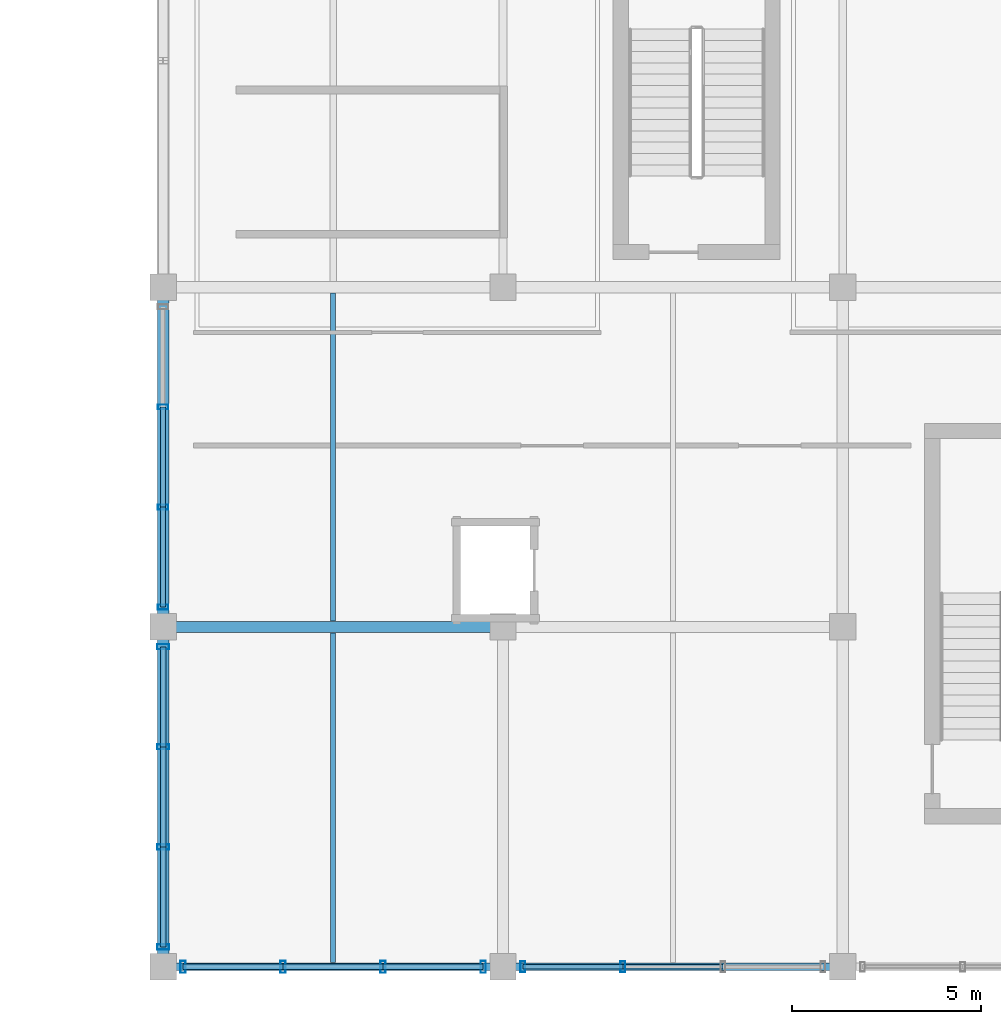
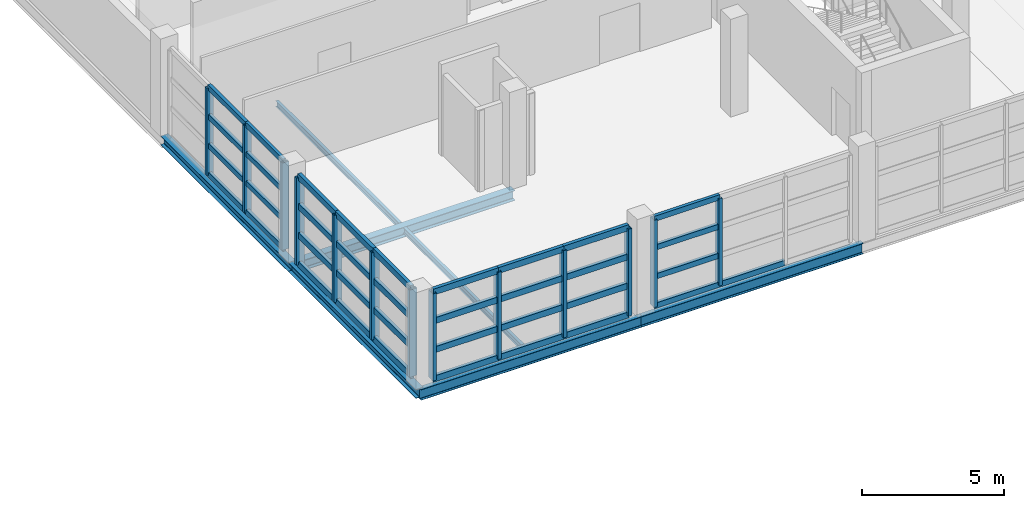
# One storey, part 57 of 136: 50 members, 7 beams, 4 elements without a shape of their own.
"""IFC4 building model written with IfcOpenShell, lengths in metres."""

import ifcopenshell
import ifcopenshell.guid

model = None  # the IFC model being written
_history = None  # IfcOwnerHistory: only IFC2X3 demands one
_inside = {}  # id of a spatial element -> (the spatial element, [elements in it])
_under = {}  # id of a project, library or spatial element -> (it, [spatial elements below it])
_declared = {}  # id of a project -> (the project, [libraries it declares])
_typed = {}  # id of a type object -> (the type object, [elements of that type])
_made_of = {}  # id of a material, layer set ... -> (it, [elements and type objects made of it])


def new_model(schema):
    """Start an empty IFC model of exactly this schema.

    Asked for "IFC4X3", IfcOpenShell would pick the latest addendum, in which some entities
    have other attributes; the version numbers below select the first issue.
    IFC2X3 requires an IfcOwnerHistory on every rooted entity: one is made here for all.
    """
    global model, _history
    if schema == "IFC4X3":
        model = ifcopenshell.file(schema_version=(4, 3, 0, 0))
    else:
        model = ifcopenshell.file(schema=schema)
    _inside.clear()
    _under.clear()
    _declared.clear()
    _typed.clear()
    _made_of.clear()
    _history = None
    if model.schema == "IFC2X3":
        org = make("IfcOrganization", Name="unknown")
        user = make(
            "IfcPersonAndOrganization",
            ThePerson=make("IfcPerson", FamilyName="unknown"),
            TheOrganization=org,
        )
        app = make(
            "IfcApplication",
            ApplicationDeveloper=org,
            Version="unknown",
            ApplicationFullName="unknown",
            ApplicationIdentifier="unknown",
        )
        _history = make(
            "IfcOwnerHistory",
            OwningUser=user,
            OwningApplication=app,
            ChangeAction="ADDED",
            CreationDate=0,
        )
    return model


def make(cls, **values):
    """One entity of the class cls with the attributes given. An attribute that is None is left unset."""
    return model.create_entity(
        cls, **{name: value for name, value in values.items() if value is not None}
    )


def rooted(cls, **values):
    """An entity with a GlobalId (a new one), such as an element, a storey or a relation."""
    return make(cls, GlobalId=ifcopenshell.guid.new(), OwnerHistory=_history, **values)


def si_unit(unit_type, name, prefix=None):
    """IfcSIUnit, for example si_unit("LENGTHUNIT", "METRE", prefix="MILLI")."""
    return make("IfcSIUnit", UnitType=unit_type, Prefix=prefix, Name=name)


def assignment(units):
    """IfcUnitAssignment: the units of a project."""
    return None if units is None else make("IfcUnitAssignment", Units=units)


def point(xyz):
    """IfcCartesianPoint."""
    return None if xyz is None else make("IfcCartesianPoint", Coordinates=xyz)


def direction(xyz):
    """IfcDirection."""
    return None if xyz is None else make("IfcDirection", DirectionRatios=xyz)


def frame(location, z_axis=None, x_axis=None):
    """IfcAxis2Placement3D, a coordinate frame: its origin and axes. An axis left out is left unset."""
    return make(
        "IfcAxis2Placement3D",
        Location=point(location),
        Axis=direction(z_axis),
        RefDirection=direction(x_axis),
    )


def frame_2d(location, x_axis=None):
    """IfcAxis2Placement2D, a coordinate frame in the plane: its origin and x axis."""
    return make(
        "IfcAxis2Placement2D", Location=point(location), RefDirection=direction(x_axis)
    )


def origin():
    """The frame at (0, 0, 0) with its axes left unset."""
    return frame((0.0, 0.0, 0.0))


def origin_2d():
    """The frame at (0, 0) in the plane with its x axis left unset."""
    return frame_2d((0.0, 0.0))


def place(relative_to, where):
    """IfcLocalPlacement: puts the frame where relative to a parent placement (None: the world)."""
    return make(
        "IfcLocalPlacement", PlacementRelTo=relative_to, RelativePlacement=where
    )


def context(
    kind, dimensions, precision=None, world=None, true_north=None, identifier=None
):
    """IfcGeometricRepresentationContext, for example the 3D "Model" context."""
    return make(
        "IfcGeometricRepresentationContext",
        ContextIdentifier=identifier,
        ContextType=kind,
        CoordinateSpaceDimension=dimensions,
        Precision=precision,
        WorldCoordinateSystem=world,
        TrueNorth=true_north,
    )


def subcontext(parent, identifier, kind, view, scale=None):
    """IfcGeometricRepresentationSubContext, for example "Body" below "Model"."""
    return make(
        "IfcGeometricRepresentationSubContext",
        ContextIdentifier=identifier,
        ContextType=kind,
        ParentContext=parent,
        TargetScale=scale,
        TargetView=view,
    )


def project(units=None, contexts=None):
    """IfcProject with its units and contexts."""
    return rooted(
        "IfcProject",
        Name="project",
        RepresentationContexts=contexts,
        UnitsInContext=assignment(units),
    )


def spatial(cls, under=None, at=None, **own):
    """A site, building, storey or space (cls), placed at a placement, below another one or the project."""
    s = rooted(cls, ObjectPlacement=at, **own)
    if under is not None:
        _under.setdefault(under.id(), (under, []))[1].append(s)
    return s


def profile(cls, at=None, kind="AREA", **sizes):
    """A parametric profile (cls). Its sizes go by their IFC names, for example OverallWidth=200.0."""
    return make(cls, ProfileType=kind, Position=at, **sizes)


def hollow_rectangle(**sizes):
    """IfcRectangleHollowProfileDef."""
    return profile("IfcRectangleHollowProfileDef", **sizes)


def i_section(**sizes):
    """IfcIShapeProfileDef."""
    return profile("IfcIShapeProfileDef", **sizes)


def extrude(swept, where, along, depth):
    """IfcExtrudedAreaSolid: the profile swept, set in the frame where, extruded along a direction by depth."""
    return make(
        "IfcExtrudedAreaSolid",
        SweptArea=swept,
        Position=where,
        ExtrudedDirection=direction(along),
        Depth=depth,
    )


def shape(context_of_items, identifier, shape_type, items):
    """IfcShapeRepresentation: the items that make up one representation, for example the "Body"."""
    return make(
        "IfcShapeRepresentation",
        ContextOfItems=context_of_items,
        RepresentationIdentifier=identifier,
        RepresentationType=shape_type,
        Items=items,
    )


def material(Name=None, Category=None):
    """IfcMaterial."""
    return make("IfcMaterial", Name=Name, Category=Category)


def material_profile(
    of_material, cross_section, Name=None, Category=None, Priority=None
):
    """IfcMaterialProfile: a cross section and its material."""
    return make(
        "IfcMaterialProfile",
        Name=Name,
        Material=of_material,
        Profile=cross_section,
        Priority=Priority,
        Category=Category,
    )


def profile_set(profiles, Name=None, composite=None):
    """IfcMaterialProfileSet."""
    return make(
        "IfcMaterialProfileSet",
        Name=Name,
        MaterialProfiles=profiles,
        CompositeProfile=composite,
    )


def made_of(thing, what):
    """Note that an element or type object is made of a material, layer set ...; save() writes the relation."""
    if what is not None:
        _made_of.setdefault(what.id(), (what, []))[1].append(thing)
    return thing


def type_object(cls, material=None, **own):
    """A type object (cls), such as IfcWallType, which elements share."""
    return made_of(rooted(cls, **own), material)


def element(
    cls,
    number,
    at=None,
    inside=None,
    cuts=None,
    type_object=None,
    material=None,
    context=None,
    identifier="Body",
    shape_type=None,
    held_by="IfcProductDefinitionShape",
    body=None,
    shapes=None,
    **own,
):
    """One element of the class cls, such as IfcWall. Its Tag is "e" and its number.

    at: its placement. inside: the storey or other place that contains it. cuts: it is an
    opening in that element (IfcRelVoidsElement). A single representation is given by context,
    identifier, shape_type and body (its items); several are given by shapes. held_by: the class
    of the entity that holds the representations. save() writes the other relations.
    """
    e = rooted(cls, Tag="e%d" % number, ObjectPlacement=at, **own)
    if body is not None:
        shapes = [shape(context, identifier, shape_type, body)]
    if shapes is not None:
        e.Representation = make(held_by, Representations=shapes)
    if inside is not None:
        _inside.setdefault(inside.id(), (inside, []))[1].append(e)
    if cuts is not None:
        rooted(
            "IfcRelVoidsElement", RelatingBuildingElement=cuts, RelatedOpeningElement=e
        )
    if type_object is not None:
        _typed.setdefault(type_object.id(), (type_object, []))[1].append(e)
    return made_of(e, material)


def aggregate(whole, parts):
    """IfcRelAggregates: a whole, such as a stair, and the parts it consists of."""
    return rooted("IfcRelAggregates", RelatingObject=whole, RelatedObjects=parts)


def save(model, path):
    """Write the relations noted so far, then the file.

    IfcRelAggregates (storeys below a building ...), IfcRelContainedInSpatialStructure (elements
    in a storey), IfcRelDefinesByType, IfcRelAssociatesMaterial and IfcRelDeclares: one each for
    every whole, place, type object, material and project.
    """
    for whole, parts in _under.values():
        aggregate(whole, parts)
    for where, things in _inside.values():
        rooted(
            "IfcRelContainedInSpatialStructure",
            RelatedElements=things,
            RelatingStructure=where,
        )
    for kind, things in _typed.values():
        rooted("IfcRelDefinesByType", RelatedObjects=things, RelatingType=kind)
    for what, things in _made_of.values():
        rooted("IfcRelAssociatesMaterial", RelatedObjects=things, RelatingMaterial=what)
    for by, libraries in _declared.values():
        rooted("IfcRelDeclares", RelatingContext=by, RelatedDefinitions=libraries)
    model.write(path)


model = new_model("IFC4")

# Units and contexts
model_context = context("Model", 3, precision=1e-05, world=origin(), true_north=direction((0.0, 1.0)))
body_context = subcontext(model_context, "Body", "Model", "MODEL_VIEW")
ifc_project = project(units=[si_unit("LENGTHUNIT", "METRE"), si_unit("AREAUNIT", "SQUARE_METRE"), si_unit("VOLUMEUNIT", "CUBIC_METRE"), si_unit("PLANEANGLEUNIT", "RADIAN"), si_unit("MASSUNIT", "GRAM", prefix="KILO")], contexts=[model_context])

# Site, building, storey
site_placement = place(None, origin())
site = spatial("IfcSite", under=ifc_project, at=site_placement, CompositionType="ELEMENT")
building_placement = place(site_placement, origin())
building = spatial("IfcBuilding", under=site, at=building_placement, Name="Chuanluo Vaults Station", CompositionType="ELEMENT")
storey_placement = place(building_placement, frame((0.0, 0.0, 6.60009765625)))
storey = spatial("IfcBuildingStorey", under=building, at=storey_placement, Name="L01", CompositionType="ELEMENT", Elevation=6.60009765625)

# Beams
ifc_material_1 = material(Name="Steel Q355C", Category="steel")
ifc_material_profile_1 = material_profile(ifc_material_1, i_section(OverallWidth=0.300048828125, OverallDepth=0.389892578125, WebThickness=0.010009765625, FlangeThickness=0.01611328125, FilletRadius=0.02001953125, at=origin_2d()))
ifc_profile_set_1 = profile_set([ifc_material_profile_1], Name="Steel Q355C")
beam_type_1 = type_object("IfcBeamType", Name="BM-GRD-400", PredefinedType="BEAM", material=ifc_profile_set_1)
for number, where, z_axis, x_axis, name in (
    (1, (136.0, 0.0, -0.43505859375), (0.0, 1.0, 0.0), (-1.0, 0.0, 0.0), "Floor girder BM:GY:L01:0454"),
    (2, (136.0, 9.0, -0.43505859375), (0.0, 1.0, 0.0), (-1.0, 0.0, 0.0), "Floor girder BM:GY:L01:0455"),
):
    element("IfcBeam", number, at=place(storey_placement, frame(where, z_axis=z_axis, x_axis=x_axis)), inside=storey, type_object=beam_type_1, Name=name, PredefinedType="BEAM", context=body_context, shape_type="SweptSolid", body=[
        extrude(i_section(OverallWidth=0.300048828125, OverallDepth=0.389892578125, WebThickness=0.010009765625, FlangeThickness=0.01611328125, FilletRadius=0.02001953125, at=origin_2d()), origin(), (0.0, 0.0, 1.0), 9.0),
    ])
ifc_material_2 = material(Name="Steel Q355C", Category="steel")
ifc_material_profile_2 = material_profile(ifc_material_2, i_section(OverallWidth=0.300048828125, OverallDepth=0.43994140625, WebThickness=0.010986328125, FlangeThickness=0.01806640625, FilletRadius=0.02001953125, at=origin_2d()))
ifc_profile_set_2 = profile_set([ifc_material_profile_2], Name="Steel Q355C")
beam_type_2 = type_object("IfcBeamType", Name="BM-GRD-450", PredefinedType="USERDEFINED", material=ifc_profile_set_2)
beam_1_placement = place(storey_placement, frame((136.0, 9.0, -0.460205078125), z_axis=(1.0, 0.0, 0.0), x_axis=(0.0, 1.0, 0.0)))
element("IfcBeam", 3, at=beam_1_placement, inside=storey, type_object=beam_type_2, Name="Floor girder BM:GX:L01:0287", ObjectType="GIRDER", PredefinedType="USERDEFINED", context=body_context, shape_type="SweptSolid", body=[
    extrude(i_section(OverallWidth=0.300048828125, OverallDepth=0.43994140625, WebThickness=0.010986328125, FlangeThickness=0.01806640625, FilletRadius=0.02001953125, at=origin_2d()), origin(), (0.0, 0.0, 1.0), 9.0),
])
ifc_material_3 = material(Name="Steel Q355C", Category="steel")
ifc_material_profile_3 = material_profile(ifc_material_3, i_section(OverallWidth=0.125, OverallDepth=0.25, WebThickness=0.006103515625, FlangeThickness=0.009033203125, FilletRadius=0.011962890625, at=origin_2d()))
ifc_profile_set_3 = profile_set([ifc_material_profile_3], Name="Steel Q355C")
beam_type_3 = type_object("IfcBeamType", Name="BM-SEC-250", PredefinedType="JOIST", material=ifc_profile_set_3)
beam_2_placement = place(storey_placement, frame((140.5, 0.107421875, -0.364990234375), z_axis=(0.0, 1.0, 0.0), x_axis=(-1.0, 0.0, 0.0)))
element("IfcBeam", 4, at=beam_2_placement, inside=storey, type_object=beam_type_3, Name="Composite secondary joist 0147", PredefinedType="JOIST", context=body_context, shape_type="SweptSolid", body=[
    extrude(i_section(OverallWidth=0.125, OverallDepth=0.25, WebThickness=0.006103515625, FlangeThickness=0.009033203125, FilletRadius=0.011962890625, at=origin_2d()), origin(), (0.0, 0.0, 1.0), 8.737548828125),
])
beam_3_placement = place(storey_placement, frame((140.5, 9.155029296875, -0.364990234375), z_axis=(0.0, 1.0, 0.0), x_axis=(-1.0, 0.0, 0.0)))
element("IfcBeam", 5, at=beam_3_placement, inside=storey, type_object=beam_type_3, Name="Composite secondary joist 0148", PredefinedType="JOIST", context=body_context, shape_type="SweptSolid", body=[
    extrude(i_section(OverallWidth=0.125, OverallDepth=0.25, WebThickness=0.006103515625, FlangeThickness=0.009033203125, FilletRadius=0.011962890625, at=origin_2d()), origin(), (0.0, 0.0, 1.0), 8.68994140625),
])
ifc_material_4 = material(Name="Steel Q355C", Category="steel")
ifc_material_profile_4 = material_profile(ifc_material_4, i_section(OverallWidth=0.205078125, OverallDepth=0.4599609375, WebThickness=0.009033203125, FlangeThickness=0.013916015625, FilletRadius=0.01611328125, at=origin_2d()))
ifc_profile_set_4 = profile_set([ifc_material_profile_4], Name="Steel Q355C")
beam_type_4 = type_object("IfcBeamType", Name="BM-SPN-450", PredefinedType="SPANDREL", material=ifc_profile_set_4)
for number, where, z_axis, x_axis, name in (
    (6, (136.0, 0.0, -0.47021484375), (1.0, 0.0, 0.0), (0.0, 1.0, 0.0), "Floor girder BM:GX:L01:0280"),
    (7, (145.0, 0.0, -0.47021484375), (1.0, 0.0, 0.0), (0.0, 1.0, 0.0), "Floor girder BM:GX:L01:0281"),
):
    element("IfcBeam", number, at=place(storey_placement, frame(where, z_axis=z_axis, x_axis=x_axis)), inside=storey, type_object=beam_type_4, Name=name, PredefinedType="SPANDREL", context=body_context, shape_type="SweptSolid", body=[
        extrude(i_section(OverallWidth=0.205078125, OverallDepth=0.4599609375, WebThickness=0.009033203125, FlangeThickness=0.013916015625, FilletRadius=0.01611328125, at=origin_2d()), origin(), (0.0, 0.0, 1.0), 9.0),
    ])

# Curtain wall, members
ifc_material_5 = material(Name="Anodised aluminium 6063-T6", Category="aluminium")
curtain_wall_type_1 = type_object("IfcCurtainWallType", Name="CW-SYS-06", PredefinedType="NOTDEFINED", material=ifc_material_5)
curtain_wall_1_placement = place(storey_placement, origin())
curtain_wall_1 = element("IfcCurtainWall", 8, at=curtain_wall_1_placement, inside=storey, type_object=curtain_wall_type_1, Name="Retail pavilion L01 facade CW", PredefinedType="NOTDEFINED")
ifc_material_6 = material(Name="Anodised aluminium 6063-T6", Category="aluminium")
ifc_material_profile_5 = material_profile(ifc_material_6, hollow_rectangle(XDim=0.1298828125, YDim=0.280029296875, WallThickness=0.007080078125, at=origin_2d()))
ifc_profile_set_5 = profile_set([ifc_material_profile_5], Name="Anodised aluminium 6063-T6")
member_type_1 = type_object("IfcMemberType", Name="CWM-180", PredefinedType="MULLION", material=ifc_profile_set_5)
member_1_placement = place(storey_placement, frame((136.0, 9.52490234375, 0.0), z_axis=(0.0, 0.0, 1.0), x_axis=(0.0, 1.0, 0.0)))
member_1 = element("IfcMember", 9, at=member_1_placement, type_object=member_type_1, Name="Retail pavilion L01 facade CW mullion 1", PredefinedType="MULLION", context=body_context, shape_type="SweptSolid", body=[
    extrude(hollow_rectangle(XDim=0.1298828125, YDim=0.280029296875, WallThickness=0.007080078125, at=origin_2d()), origin(), (0.0, 0.0, 1.0), 3.75),
])
member_2_placement = place(storey_placement, frame((136.0, 12.175048828125, 0.0), z_axis=(0.0, 0.0, 1.0), x_axis=(0.0, 1.0, 0.0)))
member_2 = element("IfcMember", 10, at=member_2_placement, type_object=member_type_1, Name="Retail pavilion L01 facade CW mullion 2", PredefinedType="MULLION", context=body_context, shape_type="SweptSolid", body=[
    extrude(hollow_rectangle(XDim=0.1298828125, YDim=0.280029296875, WallThickness=0.007080078125, at=origin_2d()), origin(), (0.0, 0.0, 1.0), 3.75),
])
member_3_placement = place(storey_placement, frame((136.0, 14.824951171875, 0.0), z_axis=(0.0, 0.0, 1.0), x_axis=(0.0, 1.0, 0.0)))
member_3 = element("IfcMember", 11, at=member_3_placement, type_object=member_type_1, Name="Retail pavilion L01 facade CW mullion 3", PredefinedType="MULLION", context=body_context, shape_type="SweptSolid", body=[
    extrude(hollow_rectangle(XDim=0.1298828125, YDim=0.280029296875, WallThickness=0.007080078125, at=origin_2d()), origin(), (0.0, 0.0, 1.0), 3.75),
])

ifc_material_7 = material(Name="Anodised aluminium 6063-T6", Category="aluminium")
curtain_wall_type_2 = type_object("IfcCurtainWallType", Name="CW-SYS-10", PredefinedType="NOTDEFINED", material=ifc_material_7)
curtain_wall_2_placement = place(storey_placement, origin())
curtain_wall_2 = element("IfcCurtainWall", 12, at=curtain_wall_2_placement, inside=storey, type_object=curtain_wall_type_2, Name="Retail pavilion L01 facade CW", PredefinedType="NOTDEFINED")
member_4_placement = place(storey_placement, frame((148.175048828125, 0.0, 0.0), z_axis=(0.0, 0.0, 1.0), x_axis=(-1.0, 0.0, 0.0)))
member_4 = element("IfcMember", 13, at=member_4_placement, type_object=member_type_1, Name="Retail pavilion L01 facade CW mullion 3", PredefinedType="MULLION", context=body_context, shape_type="SweptSolid", body=[
    extrude(hollow_rectangle(XDim=0.1298828125, YDim=0.280029296875, WallThickness=0.007080078125, at=origin_2d()), origin(), (0.0, 0.0, 1.0), 3.75),
])
member_5_placement = place(storey_placement, frame((145.52490234375, 0.0, 0.0), z_axis=(0.0, 0.0, 1.0), x_axis=(-1.0, 0.0, 0.0)))
member_5 = element("IfcMember", 14, at=member_5_placement, type_object=member_type_1, Name="Retail pavilion L01 facade CW mullion 4", PredefinedType="MULLION", context=body_context, shape_type="SweptSolid", body=[
    extrude(hollow_rectangle(XDim=0.1298828125, YDim=0.280029296875, WallThickness=0.007080078125, at=origin_2d()), origin(), (0.0, 0.0, 1.0), 3.75),
])

ifc_material_8 = material(Name="Anodised aluminium 6063-T6", Category="aluminium")
curtain_wall_type_3 = type_object("IfcCurtainWallType", Name="CW-SYS-05", PredefinedType="NOTDEFINED", material=ifc_material_8)
curtain_wall_3_placement = place(storey_placement, origin())
curtain_wall_3 = element("IfcCurtainWall", 15, at=curtain_wall_3_placement, inside=storey, type_object=curtain_wall_type_3, Name="Retail pavilion L01 facade CW", PredefinedType="NOTDEFINED")
ifc_material_9 = material(Name="Anodised aluminium 6063-T6", Category="aluminium")
ifc_material_profile_6 = material_profile(ifc_material_9, hollow_rectangle(XDim=0.139892578125, YDim=0.320068359375, WallThickness=0.008056640625, at=origin_2d()))
ifc_profile_set_6 = profile_set([ifc_material_profile_6], Name="Anodised aluminium 6063-T6")
member_type_2 = type_object("IfcMemberType", Name="CWM-220", PredefinedType="MULLION", material=ifc_profile_set_6)
member_6_placement = place(storey_placement, frame((136.0, 0.52490234375, 0.0), z_axis=(0.0, 0.0, 1.0), x_axis=(0.0, 1.0, 0.0)))
member_6 = element("IfcMember", 16, at=member_6_placement, type_object=member_type_2, Name="Retail pavilion L01 facade CW mullion 1", PredefinedType="MULLION", context=body_context, shape_type="SweptSolid", body=[
    extrude(hollow_rectangle(XDim=0.139892578125, YDim=0.320068359375, WallThickness=0.008056640625, at=origin_2d()), origin(), (0.0, 0.0, 1.0), 3.75),
])
member_7_placement = place(storey_placement, frame((136.0, 3.175048828125, 0.0), z_axis=(0.0, 0.0, 1.0), x_axis=(0.0, 1.0, 0.0)))
member_7 = element("IfcMember", 17, at=member_7_placement, type_object=member_type_2, Name="Retail pavilion L01 facade CW mullion 2", PredefinedType="MULLION", context=body_context, shape_type="SweptSolid", body=[
    extrude(hollow_rectangle(XDim=0.139892578125, YDim=0.320068359375, WallThickness=0.008056640625, at=origin_2d()), origin(), (0.0, 0.0, 1.0), 3.75),
])
member_8_placement = place(storey_placement, frame((136.0, 5.824951171875, 0.0), z_axis=(0.0, 0.0, 1.0), x_axis=(0.0, 1.0, 0.0)))
member_8 = element("IfcMember", 18, at=member_8_placement, type_object=member_type_2, Name="Retail pavilion L01 facade CW mullion 3", PredefinedType="MULLION", context=body_context, shape_type="SweptSolid", body=[
    extrude(hollow_rectangle(XDim=0.139892578125, YDim=0.320068359375, WallThickness=0.008056640625, at=origin_2d()), origin(), (0.0, 0.0, 1.0), 3.75),
])
member_9_placement = place(storey_placement, frame((136.0, 8.47509765625, 0.0), z_axis=(0.0, 0.0, 1.0), x_axis=(0.0, 1.0, 0.0)))
member_9 = element("IfcMember", 19, at=member_9_placement, type_object=member_type_2, Name="Retail pavilion L01 facade CW mullion 4", PredefinedType="MULLION", context=body_context, shape_type="SweptSolid", body=[
    extrude(hollow_rectangle(XDim=0.139892578125, YDim=0.320068359375, WallThickness=0.008056640625, at=origin_2d()), origin(), (0.0, 0.0, 1.0), 3.75),
])

ifc_material_10 = material(Name="Anodised aluminium 6063-T6", Category="aluminium")
curtain_wall_type_4 = type_object("IfcCurtainWallType", Name="CW-SYS-09", PredefinedType="NOTDEFINED", material=ifc_material_10)
curtain_wall_4_placement = place(storey_placement, origin())
curtain_wall_4 = element("IfcCurtainWall", 20, at=curtain_wall_4_placement, inside=storey, type_object=curtain_wall_type_4, Name="Retail pavilion L01 facade CW", PredefinedType="NOTDEFINED")
member_10_placement = place(storey_placement, frame((144.47509765625, 0.0, 0.0), z_axis=(0.0, 0.0, 1.0), x_axis=(-1.0, 0.0, 0.0)))
member_10 = element("IfcMember", 21, at=member_10_placement, type_object=member_type_2, Name="Retail pavilion L01 facade CW mullion 1", PredefinedType="MULLION", context=body_context, shape_type="SweptSolid", body=[
    extrude(hollow_rectangle(XDim=0.139892578125, YDim=0.320068359375, WallThickness=0.008056640625, at=origin_2d()), origin(), (0.0, 0.0, 1.0), 3.75),
])
member_11_placement = place(storey_placement, frame((141.824951171875, 0.0, 0.0), z_axis=(0.0, 0.0, 1.0), x_axis=(-1.0, 0.0, 0.0)))
member_11 = element("IfcMember", 22, at=member_11_placement, type_object=member_type_2, Name="Retail pavilion L01 facade CW mullion 2", PredefinedType="MULLION", context=body_context, shape_type="SweptSolid", body=[
    extrude(hollow_rectangle(XDim=0.139892578125, YDim=0.320068359375, WallThickness=0.008056640625, at=origin_2d()), origin(), (0.0, 0.0, 1.0), 3.75),
])
member_12_placement = place(storey_placement, frame((139.175048828125, 0.0, 0.0), z_axis=(0.0, 0.0, 1.0), x_axis=(-1.0, 0.0, 0.0)))
member_12 = element("IfcMember", 23, at=member_12_placement, type_object=member_type_2, Name="Retail pavilion L01 facade CW mullion 3", PredefinedType="MULLION", context=body_context, shape_type="SweptSolid", body=[
    extrude(hollow_rectangle(XDim=0.139892578125, YDim=0.320068359375, WallThickness=0.008056640625, at=origin_2d()), origin(), (0.0, 0.0, 1.0), 3.75),
])
member_13_placement = place(storey_placement, frame((136.52490234375, 0.0, 0.0), z_axis=(0.0, 0.0, 1.0), x_axis=(-1.0, 0.0, 0.0)))
member_13 = element("IfcMember", 24, at=member_13_placement, type_object=member_type_2, Name="Retail pavilion L01 facade CW mullion 4", PredefinedType="MULLION", context=body_context, shape_type="SweptSolid", body=[
    extrude(hollow_rectangle(XDim=0.139892578125, YDim=0.320068359375, WallThickness=0.008056640625, at=origin_2d()), origin(), (0.0, 0.0, 1.0), 3.75),
])

# Member
ifc_material_11 = material(Name="Anodised aluminium 6063-T6", Category="aluminium")
ifc_material_profile_7 = material_profile(ifc_material_11, hollow_rectangle(XDim=0.1298828125, YDim=0.22998046875, WallThickness=0.006103515625, at=origin_2d()))
ifc_profile_set_7 = profile_set([ifc_material_profile_7], Name="Anodised aluminium 6063-T6")
member_type_3 = type_object("IfcMemberType", Name="CWT-150", PredefinedType="USERDEFINED", material=ifc_profile_set_7)
member_14_placement = place(storey_placement, frame((136.0, 9.52490234375, 0.0), z_axis=(0.0, 1.0, 0.0), x_axis=(-1.0, 0.0, 0.0)))
member_14 = element("IfcMember", 25, at=member_14_placement, type_object=member_type_3, Name="Retail pavilion L01 facade CW transom 1.1", ObjectType="TRANSOM", PredefinedType="USERDEFINED", context=body_context, shape_type="SweptSolid", body=[
    extrude(hollow_rectangle(XDim=0.1298828125, YDim=0.22998046875, WallThickness=0.006103515625, at=origin_2d()), origin(), (0.0, 0.0, 1.0), 2.650146484375),
])

member_15_placement = place(storey_placement, frame((136.0, 9.52490234375, 1.25), z_axis=(0.0, 1.0, 0.0), x_axis=(-1.0, 0.0, 0.0)))
member_15 = element("IfcMember", 26, at=member_15_placement, type_object=member_type_3, Name="Retail pavilion L01 facade CW transom 1.2", ObjectType="TRANSOM", PredefinedType="USERDEFINED", context=body_context, shape_type="SweptSolid", body=[
    extrude(hollow_rectangle(XDim=0.1298828125, YDim=0.22998046875, WallThickness=0.006103515625, at=origin_2d()), origin(), (0.0, 0.0, 1.0), 2.650146484375),
])

member_16_placement = place(storey_placement, frame((136.0, 9.52490234375, 2.5), z_axis=(0.0, 1.0, 0.0), x_axis=(-1.0, 0.0, 0.0)))
member_16 = element("IfcMember", 27, at=member_16_placement, type_object=member_type_3, Name="Retail pavilion L01 facade CW transom 1.3", ObjectType="TRANSOM", PredefinedType="USERDEFINED", context=body_context, shape_type="SweptSolid", body=[
    extrude(hollow_rectangle(XDim=0.1298828125, YDim=0.22998046875, WallThickness=0.006103515625, at=origin_2d()), origin(), (0.0, 0.0, 1.0), 2.650146484375),
])

member_17_placement = place(storey_placement, frame((136.0, 9.52490234375, 3.75), z_axis=(0.0, 1.0, 0.0), x_axis=(-1.0, 0.0, 0.0)))
member_17 = element("IfcMember", 28, at=member_17_placement, type_object=member_type_3, Name="Retail pavilion L01 facade CW transom 1.4", ObjectType="TRANSOM", PredefinedType="USERDEFINED", context=body_context, shape_type="SweptSolid", body=[
    extrude(hollow_rectangle(XDim=0.1298828125, YDim=0.22998046875, WallThickness=0.006103515625, at=origin_2d()), origin(), (0.0, 0.0, 1.0), 2.650146484375),
])

member_18_placement = place(storey_placement, frame((136.0, 12.175048828125, 0.0), z_axis=(0.0, 1.0, 0.0), x_axis=(-1.0, 0.0, 0.0)))
member_18 = element("IfcMember", 29, at=member_18_placement, type_object=member_type_3, Name="Retail pavilion L01 facade CW transom 2.1", ObjectType="TRANSOM", PredefinedType="USERDEFINED", context=body_context, shape_type="SweptSolid", body=[
    extrude(hollow_rectangle(XDim=0.1298828125, YDim=0.22998046875, WallThickness=0.006103515625, at=origin_2d()), origin(), (0.0, 0.0, 1.0), 2.64990234375),
])

member_19_placement = place(storey_placement, frame((136.0, 12.175048828125, 1.25), z_axis=(0.0, 1.0, 0.0), x_axis=(-1.0, 0.0, 0.0)))
member_19 = element("IfcMember", 30, at=member_19_placement, type_object=member_type_3, Name="Retail pavilion L01 facade CW transom 2.2", ObjectType="TRANSOM", PredefinedType="USERDEFINED", context=body_context, shape_type="SweptSolid", body=[
    extrude(hollow_rectangle(XDim=0.1298828125, YDim=0.22998046875, WallThickness=0.006103515625, at=origin_2d()), origin(), (0.0, 0.0, 1.0), 2.64990234375),
])

member_20_placement = place(storey_placement, frame((136.0, 12.175048828125, 2.5), z_axis=(0.0, 1.0, 0.0), x_axis=(-1.0, 0.0, 0.0)))
member_20 = element("IfcMember", 31, at=member_20_placement, type_object=member_type_3, Name="Retail pavilion L01 facade CW transom 2.3", ObjectType="TRANSOM", PredefinedType="USERDEFINED", context=body_context, shape_type="SweptSolid", body=[
    extrude(hollow_rectangle(XDim=0.1298828125, YDim=0.22998046875, WallThickness=0.006103515625, at=origin_2d()), origin(), (0.0, 0.0, 1.0), 2.64990234375),
])

member_21_placement = place(storey_placement, frame((136.0, 12.175048828125, 3.75), z_axis=(0.0, 1.0, 0.0), x_axis=(-1.0, 0.0, 0.0)))
member_21 = element("IfcMember", 32, at=member_21_placement, type_object=member_type_3, Name="Retail pavilion L01 facade CW transom 2.4", ObjectType="TRANSOM", PredefinedType="USERDEFINED", context=body_context, shape_type="SweptSolid", body=[
    extrude(hollow_rectangle(XDim=0.1298828125, YDim=0.22998046875, WallThickness=0.006103515625, at=origin_2d()), origin(), (0.0, 0.0, 1.0), 2.64990234375),
])

aggregate(curtain_wall_1, [member_1, member_2, member_3, member_14, member_15, member_16, member_17, member_18, member_19, member_20, member_21])

member_22_placement = place(storey_placement, frame((150.824951171875, 0.0, 0.0), z_axis=(-1.0, 0.0, 0.0), x_axis=(0.0, -1.0, 0.0)))
member_22 = element("IfcMember", 33, at=member_22_placement, type_object=member_type_3, Name="Retail pavilion L01 facade CW transom 2.1", ObjectType="TRANSOM", PredefinedType="USERDEFINED", context=body_context, shape_type="SweptSolid", body=[
    extrude(hollow_rectangle(XDim=0.1298828125, YDim=0.22998046875, WallThickness=0.006103515625, at=origin_2d()), origin(), (0.0, 0.0, 1.0), 2.64990234375),
])

member_23_placement = place(storey_placement, frame((148.175048828125, 0.0, 0.0), z_axis=(-1.0, 0.0, 0.0), x_axis=(0.0, -1.0, 0.0)))
member_23 = element("IfcMember", 34, at=member_23_placement, type_object=member_type_3, Name="Retail pavilion L01 facade CW transom 3.1", ObjectType="TRANSOM", PredefinedType="USERDEFINED", context=body_context, shape_type="SweptSolid", body=[
    extrude(hollow_rectangle(XDim=0.1298828125, YDim=0.22998046875, WallThickness=0.006103515625, at=origin_2d()), origin(), (0.0, 0.0, 1.0), 2.650146484375),
])

member_24_placement = place(storey_placement, frame((148.175048828125, 0.0, 1.25), z_axis=(-1.0, 0.0, 0.0), x_axis=(0.0, -1.0, 0.0)))
member_24 = element("IfcMember", 35, at=member_24_placement, type_object=member_type_3, Name="Retail pavilion L01 facade CW transom 3.2", ObjectType="TRANSOM", PredefinedType="USERDEFINED", context=body_context, shape_type="SweptSolid", body=[
    extrude(hollow_rectangle(XDim=0.1298828125, YDim=0.22998046875, WallThickness=0.006103515625, at=origin_2d()), origin(), (0.0, 0.0, 1.0), 2.650146484375),
])

member_25_placement = place(storey_placement, frame((148.175048828125, 0.0, 2.5), z_axis=(-1.0, 0.0, 0.0), x_axis=(0.0, -1.0, 0.0)))
member_25 = element("IfcMember", 36, at=member_25_placement, type_object=member_type_3, Name="Retail pavilion L01 facade CW transom 3.3", ObjectType="TRANSOM", PredefinedType="USERDEFINED", context=body_context, shape_type="SweptSolid", body=[
    extrude(hollow_rectangle(XDim=0.1298828125, YDim=0.22998046875, WallThickness=0.006103515625, at=origin_2d()), origin(), (0.0, 0.0, 1.0), 2.650146484375),
])

member_26_placement = place(storey_placement, frame((148.175048828125, 0.0, 3.75), z_axis=(-1.0, 0.0, 0.0), x_axis=(0.0, -1.0, 0.0)))
member_26 = element("IfcMember", 37, at=member_26_placement, type_object=member_type_3, Name="Retail pavilion L01 facade CW transom 3.4", ObjectType="TRANSOM", PredefinedType="USERDEFINED", context=body_context, shape_type="SweptSolid", body=[
    extrude(hollow_rectangle(XDim=0.1298828125, YDim=0.22998046875, WallThickness=0.006103515625, at=origin_2d()), origin(), (0.0, 0.0, 1.0), 2.650146484375),
])

aggregate(curtain_wall_2, [member_4, member_5, member_22, member_23, member_24, member_25, member_26])

ifc_material_12 = material(Name="Anodised aluminium 6063-T6", Category="aluminium")
ifc_material_profile_8 = material_profile(ifc_material_12, hollow_rectangle(XDim=0.139892578125, YDim=0.260009765625, WallThickness=0.007080078125, at=origin_2d()))
ifc_profile_set_8 = profile_set([ifc_material_profile_8], Name="Anodised aluminium 6063-T6")
member_type_4 = type_object("IfcMemberType", Name="CWT-180", PredefinedType="USERDEFINED", material=ifc_profile_set_8)
member_27_placement = place(storey_placement, frame((136.0, 0.52490234375, 0.0), z_axis=(0.0, 1.0, 0.0), x_axis=(-1.0, 0.0, 0.0)))
member_27 = element("IfcMember", 38, at=member_27_placement, type_object=member_type_4, Name="Retail pavilion L01 facade CW transom 1.1", ObjectType="TRANSOM", PredefinedType="USERDEFINED", context=body_context, shape_type="SweptSolid", body=[
    extrude(hollow_rectangle(XDim=0.139892578125, YDim=0.260009765625, WallThickness=0.007080078125, at=origin_2d()), origin(), (0.0, 0.0, 1.0), 2.650146484375),
])

member_28_placement = place(storey_placement, frame((136.0, 0.52490234375, 1.25), z_axis=(0.0, 1.0, 0.0), x_axis=(-1.0, 0.0, 0.0)))
member_28 = element("IfcMember", 39, at=member_28_placement, type_object=member_type_4, Name="Retail pavilion L01 facade CW transom 1.2", ObjectType="TRANSOM", PredefinedType="USERDEFINED", context=body_context, shape_type="SweptSolid", body=[
    extrude(hollow_rectangle(XDim=0.139892578125, YDim=0.260009765625, WallThickness=0.007080078125, at=origin_2d()), origin(), (0.0, 0.0, 1.0), 2.650146484375),
])

member_29_placement = place(storey_placement, frame((136.0, 0.52490234375, 2.5), z_axis=(0.0, 1.0, 0.0), x_axis=(-1.0, 0.0, 0.0)))
member_29 = element("IfcMember", 40, at=member_29_placement, type_object=member_type_4, Name="Retail pavilion L01 facade CW transom 1.3", ObjectType="TRANSOM", PredefinedType="USERDEFINED", context=body_context, shape_type="SweptSolid", body=[
    extrude(hollow_rectangle(XDim=0.139892578125, YDim=0.260009765625, WallThickness=0.007080078125, at=origin_2d()), origin(), (0.0, 0.0, 1.0), 2.650146484375),
])

member_30_placement = place(storey_placement, frame((136.0, 0.52490234375, 3.75), z_axis=(0.0, 1.0, 0.0), x_axis=(-1.0, 0.0, 0.0)))
member_30 = element("IfcMember", 41, at=member_30_placement, type_object=member_type_4, Name="Retail pavilion L01 facade CW transom 1.4", ObjectType="TRANSOM", PredefinedType="USERDEFINED", context=body_context, shape_type="SweptSolid", body=[
    extrude(hollow_rectangle(XDim=0.139892578125, YDim=0.260009765625, WallThickness=0.007080078125, at=origin_2d()), origin(), (0.0, 0.0, 1.0), 2.650146484375),
])

member_31_placement = place(storey_placement, frame((136.0, 3.175048828125, 0.0), z_axis=(0.0, 1.0, 0.0), x_axis=(-1.0, 0.0, 0.0)))
member_31 = element("IfcMember", 42, at=member_31_placement, type_object=member_type_4, Name="Retail pavilion L01 facade CW transom 2.1", ObjectType="TRANSOM", PredefinedType="USERDEFINED", context=body_context, shape_type="SweptSolid", body=[
    extrude(hollow_rectangle(XDim=0.139892578125, YDim=0.260009765625, WallThickness=0.007080078125, at=origin_2d()), origin(), (0.0, 0.0, 1.0), 2.64990234375),
])

member_32_placement = place(storey_placement, frame((136.0, 3.175048828125, 1.25), z_axis=(0.0, 1.0, 0.0), x_axis=(-1.0, 0.0, 0.0)))
member_32 = element("IfcMember", 43, at=member_32_placement, type_object=member_type_4, Name="Retail pavilion L01 facade CW transom 2.2", ObjectType="TRANSOM", PredefinedType="USERDEFINED", context=body_context, shape_type="SweptSolid", body=[
    extrude(hollow_rectangle(XDim=0.139892578125, YDim=0.260009765625, WallThickness=0.007080078125, at=origin_2d()), origin(), (0.0, 0.0, 1.0), 2.64990234375),
])

member_33_placement = place(storey_placement, frame((136.0, 3.175048828125, 2.5), z_axis=(0.0, 1.0, 0.0), x_axis=(-1.0, 0.0, 0.0)))
member_33 = element("IfcMember", 44, at=member_33_placement, type_object=member_type_4, Name="Retail pavilion L01 facade CW transom 2.3", ObjectType="TRANSOM", PredefinedType="USERDEFINED", context=body_context, shape_type="SweptSolid", body=[
    extrude(hollow_rectangle(XDim=0.139892578125, YDim=0.260009765625, WallThickness=0.007080078125, at=origin_2d()), origin(), (0.0, 0.0, 1.0), 2.64990234375),
])

member_34_placement = place(storey_placement, frame((136.0, 3.175048828125, 3.75), z_axis=(0.0, 1.0, 0.0), x_axis=(-1.0, 0.0, 0.0)))
member_34 = element("IfcMember", 45, at=member_34_placement, type_object=member_type_4, Name="Retail pavilion L01 facade CW transom 2.4", ObjectType="TRANSOM", PredefinedType="USERDEFINED", context=body_context, shape_type="SweptSolid", body=[
    extrude(hollow_rectangle(XDim=0.139892578125, YDim=0.260009765625, WallThickness=0.007080078125, at=origin_2d()), origin(), (0.0, 0.0, 1.0), 2.64990234375),
])

member_35_placement = place(storey_placement, frame((136.0, 5.824951171875, 0.0), z_axis=(0.0, 1.0, 0.0), x_axis=(-1.0, 0.0, 0.0)))
member_35 = element("IfcMember", 46, at=member_35_placement, type_object=member_type_4, Name="Retail pavilion L01 facade CW transom 3.1", ObjectType="TRANSOM", PredefinedType="USERDEFINED", context=body_context, shape_type="SweptSolid", body=[
    extrude(hollow_rectangle(XDim=0.139892578125, YDim=0.260009765625, WallThickness=0.007080078125, at=origin_2d()), origin(), (0.0, 0.0, 1.0), 2.650146484375),
])

member_36_placement = place(storey_placement, frame((136.0, 5.824951171875, 1.25), z_axis=(0.0, 1.0, 0.0), x_axis=(-1.0, 0.0, 0.0)))
member_36 = element("IfcMember", 47, at=member_36_placement, type_object=member_type_4, Name="Retail pavilion L01 facade CW transom 3.2", ObjectType="TRANSOM", PredefinedType="USERDEFINED", context=body_context, shape_type="SweptSolid", body=[
    extrude(hollow_rectangle(XDim=0.139892578125, YDim=0.260009765625, WallThickness=0.007080078125, at=origin_2d()), origin(), (0.0, 0.0, 1.0), 2.650146484375),
])

member_37_placement = place(storey_placement, frame((136.0, 5.824951171875, 2.5), z_axis=(0.0, 1.0, 0.0), x_axis=(-1.0, 0.0, 0.0)))
member_37 = element("IfcMember", 48, at=member_37_placement, type_object=member_type_4, Name="Retail pavilion L01 facade CW transom 3.3", ObjectType="TRANSOM", PredefinedType="USERDEFINED", context=body_context, shape_type="SweptSolid", body=[
    extrude(hollow_rectangle(XDim=0.139892578125, YDim=0.260009765625, WallThickness=0.007080078125, at=origin_2d()), origin(), (0.0, 0.0, 1.0), 2.650146484375),
])

member_38_placement = place(storey_placement, frame((136.0, 5.824951171875, 3.75), z_axis=(0.0, 1.0, 0.0), x_axis=(-1.0, 0.0, 0.0)))
member_38 = element("IfcMember", 49, at=member_38_placement, type_object=member_type_4, Name="Retail pavilion L01 facade CW transom 3.4", ObjectType="TRANSOM", PredefinedType="USERDEFINED", context=body_context, shape_type="SweptSolid", body=[
    extrude(hollow_rectangle(XDim=0.139892578125, YDim=0.260009765625, WallThickness=0.007080078125, at=origin_2d()), origin(), (0.0, 0.0, 1.0), 2.650146484375),
])

aggregate(curtain_wall_3, [member_6, member_7, member_8, member_9, member_27, member_28, member_29, member_30, member_31, member_32, member_33, member_34, member_35, member_36, member_37, member_38])

member_39_placement = place(storey_placement, frame((144.47509765625, 0.0, 0.0), z_axis=(-1.0, 0.0, 0.0), x_axis=(0.0, -1.0, 0.0)))
member_39 = element("IfcMember", 50, at=member_39_placement, type_object=member_type_4, Name="Retail pavilion L01 facade CW transom 1.1", ObjectType="TRANSOM", PredefinedType="USERDEFINED", context=body_context, shape_type="SweptSolid", body=[
    extrude(hollow_rectangle(XDim=0.139892578125, YDim=0.260009765625, WallThickness=0.007080078125, at=origin_2d()), origin(), (0.0, 0.0, 1.0), 2.650146484375),
])

member_40_placement = place(storey_placement, frame((144.47509765625, 0.0, 1.25), z_axis=(-1.0, 0.0, 0.0), x_axis=(0.0, -1.0, 0.0)))
member_40 = element("IfcMember", 51, at=member_40_placement, type_object=member_type_4, Name="Retail pavilion L01 facade CW transom 1.2", ObjectType="TRANSOM", PredefinedType="USERDEFINED", context=body_context, shape_type="SweptSolid", body=[
    extrude(hollow_rectangle(XDim=0.139892578125, YDim=0.260009765625, WallThickness=0.007080078125, at=origin_2d()), origin(), (0.0, 0.0, 1.0), 2.650146484375),
])

member_41_placement = place(storey_placement, frame((144.47509765625, 0.0, 2.5), z_axis=(-1.0, 0.0, 0.0), x_axis=(0.0, -1.0, 0.0)))
member_41 = element("IfcMember", 52, at=member_41_placement, type_object=member_type_4, Name="Retail pavilion L01 facade CW transom 1.3", ObjectType="TRANSOM", PredefinedType="USERDEFINED", context=body_context, shape_type="SweptSolid", body=[
    extrude(hollow_rectangle(XDim=0.139892578125, YDim=0.260009765625, WallThickness=0.007080078125, at=origin_2d()), origin(), (0.0, 0.0, 1.0), 2.650146484375),
])

member_42_placement = place(storey_placement, frame((144.47509765625, 0.0, 3.75), z_axis=(-1.0, 0.0, 0.0), x_axis=(0.0, -1.0, 0.0)))
member_42 = element("IfcMember", 53, at=member_42_placement, type_object=member_type_4, Name="Retail pavilion L01 facade CW transom 1.4", ObjectType="TRANSOM", PredefinedType="USERDEFINED", context=body_context, shape_type="SweptSolid", body=[
    extrude(hollow_rectangle(XDim=0.139892578125, YDim=0.260009765625, WallThickness=0.007080078125, at=origin_2d()), origin(), (0.0, 0.0, 1.0), 2.650146484375),
])

member_43_placement = place(storey_placement, frame((141.824951171875, 0.0, 0.0), z_axis=(-1.0, 0.0, 0.0), x_axis=(0.0, -1.0, 0.0)))
member_43 = element("IfcMember", 54, at=member_43_placement, type_object=member_type_4, Name="Retail pavilion L01 facade CW transom 2.1", ObjectType="TRANSOM", PredefinedType="USERDEFINED", context=body_context, shape_type="SweptSolid", body=[
    extrude(hollow_rectangle(XDim=0.139892578125, YDim=0.260009765625, WallThickness=0.007080078125, at=origin_2d()), origin(), (0.0, 0.0, 1.0), 2.64990234375),
])

member_44_placement = place(storey_placement, frame((141.824951171875, 0.0, 1.25), z_axis=(-1.0, 0.0, 0.0), x_axis=(0.0, -1.0, 0.0)))
member_44 = element("IfcMember", 55, at=member_44_placement, type_object=member_type_4, Name="Retail pavilion L01 facade CW transom 2.2", ObjectType="TRANSOM", PredefinedType="USERDEFINED", context=body_context, shape_type="SweptSolid", body=[
    extrude(hollow_rectangle(XDim=0.139892578125, YDim=0.260009765625, WallThickness=0.007080078125, at=origin_2d()), origin(), (0.0, 0.0, 1.0), 2.64990234375),
])

member_45_placement = place(storey_placement, frame((141.824951171875, 0.0, 2.5), z_axis=(-1.0, 0.0, 0.0), x_axis=(0.0, -1.0, 0.0)))
member_45 = element("IfcMember", 56, at=member_45_placement, type_object=member_type_4, Name="Retail pavilion L01 facade CW transom 2.3", ObjectType="TRANSOM", PredefinedType="USERDEFINED", context=body_context, shape_type="SweptSolid", body=[
    extrude(hollow_rectangle(XDim=0.139892578125, YDim=0.260009765625, WallThickness=0.007080078125, at=origin_2d()), origin(), (0.0, 0.0, 1.0), 2.64990234375),
])

member_46_placement = place(storey_placement, frame((141.824951171875, 0.0, 3.75), z_axis=(-1.0, 0.0, 0.0), x_axis=(0.0, -1.0, 0.0)))
member_46 = element("IfcMember", 57, at=member_46_placement, type_object=member_type_4, Name="Retail pavilion L01 facade CW transom 2.4", ObjectType="TRANSOM", PredefinedType="USERDEFINED", context=body_context, shape_type="SweptSolid", body=[
    extrude(hollow_rectangle(XDim=0.139892578125, YDim=0.260009765625, WallThickness=0.007080078125, at=origin_2d()), origin(), (0.0, 0.0, 1.0), 2.64990234375),
])

member_47_placement = place(storey_placement, frame((139.175048828125, 0.0, 0.0), z_axis=(-1.0, 0.0, 0.0), x_axis=(0.0, -1.0, 0.0)))
member_47 = element("IfcMember", 58, at=member_47_placement, type_object=member_type_4, Name="Retail pavilion L01 facade CW transom 3.1", ObjectType="TRANSOM", PredefinedType="USERDEFINED", context=body_context, shape_type="SweptSolid", body=[
    extrude(hollow_rectangle(XDim=0.139892578125, YDim=0.260009765625, WallThickness=0.007080078125, at=origin_2d()), origin(), (0.0, 0.0, 1.0), 2.650146484375),
])

member_48_placement = place(storey_placement, frame((139.175048828125, 0.0, 1.25), z_axis=(-1.0, 0.0, 0.0), x_axis=(0.0, -1.0, 0.0)))
member_48 = element("IfcMember", 59, at=member_48_placement, type_object=member_type_4, Name="Retail pavilion L01 facade CW transom 3.2", ObjectType="TRANSOM", PredefinedType="USERDEFINED", context=body_context, shape_type="SweptSolid", body=[
    extrude(hollow_rectangle(XDim=0.139892578125, YDim=0.260009765625, WallThickness=0.007080078125, at=origin_2d()), origin(), (0.0, 0.0, 1.0), 2.650146484375),
])

member_49_placement = place(storey_placement, frame((139.175048828125, 0.0, 2.5), z_axis=(-1.0, 0.0, 0.0), x_axis=(0.0, -1.0, 0.0)))
member_49 = element("IfcMember", 60, at=member_49_placement, type_object=member_type_4, Name="Retail pavilion L01 facade CW transom 3.3", ObjectType="TRANSOM", PredefinedType="USERDEFINED", context=body_context, shape_type="SweptSolid", body=[
    extrude(hollow_rectangle(XDim=0.139892578125, YDim=0.260009765625, WallThickness=0.007080078125, at=origin_2d()), origin(), (0.0, 0.0, 1.0), 2.650146484375),
])

member_50_placement = place(storey_placement, frame((139.175048828125, 0.0, 3.75), z_axis=(-1.0, 0.0, 0.0), x_axis=(0.0, -1.0, 0.0)))
member_50 = element("IfcMember", 61, at=member_50_placement, type_object=member_type_4, Name="Retail pavilion L01 facade CW transom 3.4", ObjectType="TRANSOM", PredefinedType="USERDEFINED", context=body_context, shape_type="SweptSolid", body=[
    extrude(hollow_rectangle(XDim=0.139892578125, YDim=0.260009765625, WallThickness=0.007080078125, at=origin_2d()), origin(), (0.0, 0.0, 1.0), 2.650146484375),
])

aggregate(curtain_wall_4, [member_10, member_11, member_12, member_13, member_39, member_40, member_41, member_42, member_43, member_44, member_45, member_46, member_47, member_48, member_49, member_50])

save(model, "model.ifc")
